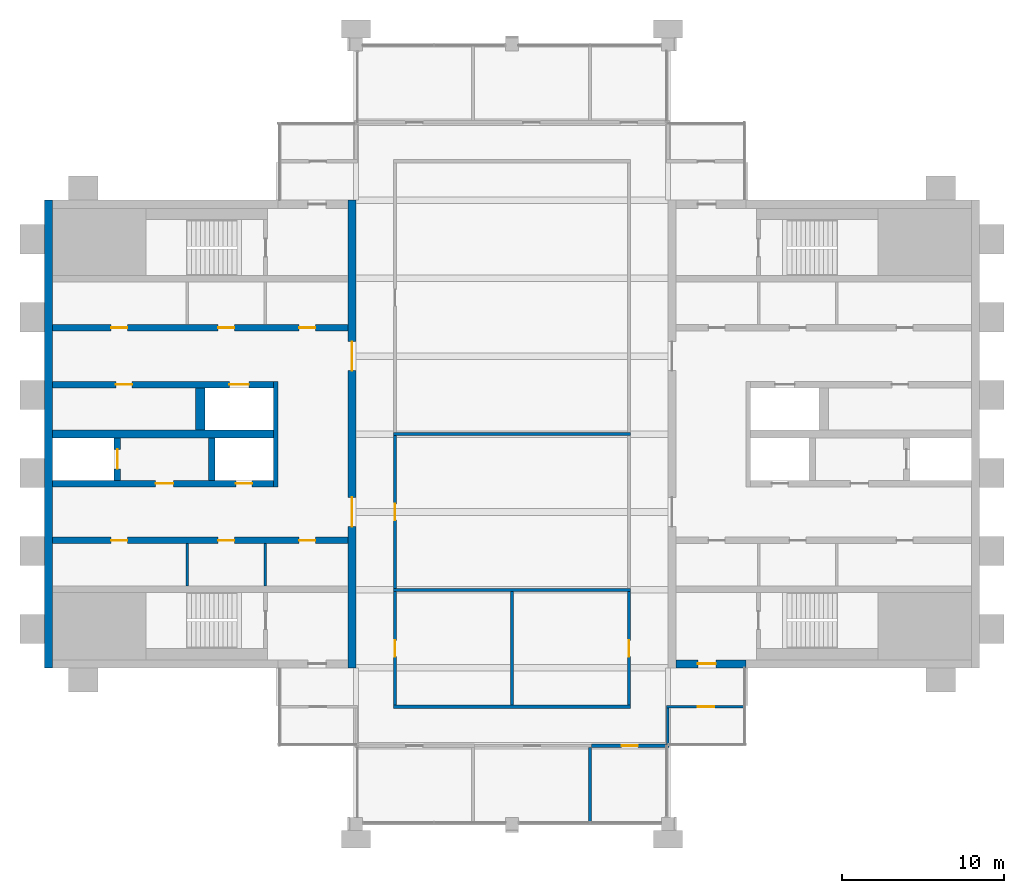
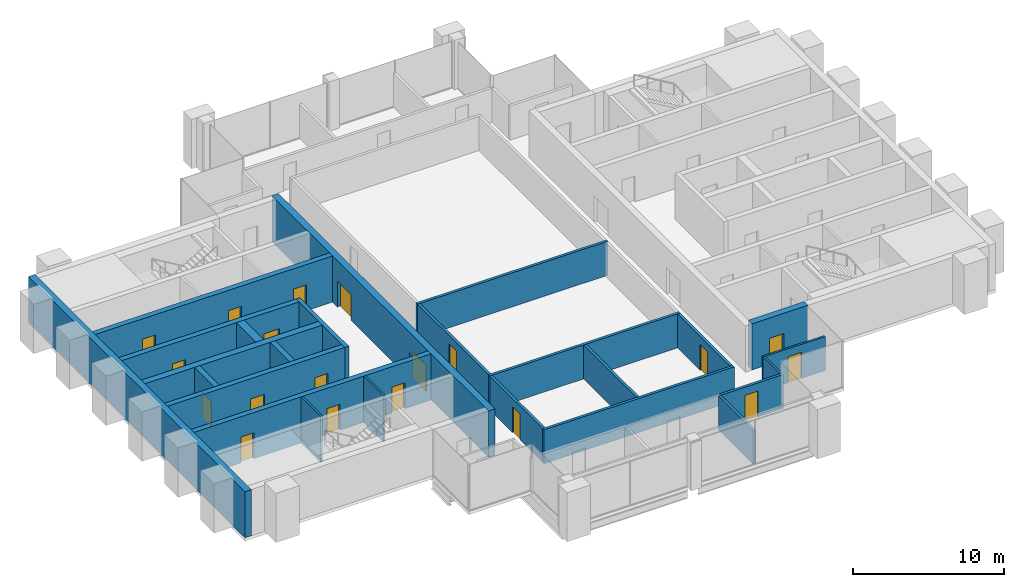
# One storey, part 8 of 11: 25 walls, 19 doors, 19 openings.
"""IFC4 building model written with IfcOpenShell, lengths in metres."""

from ifc_helpers import new_model, si_unit, direction, frame, frame_2d, origin, place, context, subcontext, project, spatial, rectangle, extrude, material, layer, layer_set, type_object, element, fill, save


model = new_model("IFC4")

# Units and contexts
model_context = context("Model", 3, precision=1e-05, world=origin(), true_north=direction((0.0, 1.0)))
body_context = subcontext(model_context, "Body", "Model", "MODEL_VIEW")
ifc_project = project(units=[si_unit("LENGTHUNIT", "METRE"), si_unit("AREAUNIT", "SQUARE_METRE"), si_unit("VOLUMEUNIT", "CUBIC_METRE"), si_unit("PLANEANGLEUNIT", "RADIAN"), si_unit("MASSUNIT", "GRAM", prefix="KILO")], contexts=[model_context])

# Site, building, storey
site_placement = place(None, origin())
site = spatial("IfcSite", under=ifc_project, at=site_placement, CompositionType="ELEMENT")
building_placement = place(site_placement, origin())
building = spatial("IfcBuilding", under=site, at=building_placement, Name="Baori Bourse Tower", CompositionType="ELEMENT")
storey_placement = place(building_placement, frame((0.0, 0.0, 358.300048828125)))
storey = spatial("IfcBuildingStorey", under=building, at=storey_placement, Name="L80", CompositionType="ELEMENT", Elevation=358.300048828125)

# Walls
ifc_material_1 = material(Name="Blockwork partition", Category="masonry")
ifc_layer_1 = layer(ifc_material_1, 0.14990234375)
ifc_layer_set_1 = layer_set([ifc_layer_1], Name="Core partition 150")
wall_type_1 = type_object("IfcWallType", Name="Core partition 150", PredefinedType="PARTITIONING", material=ifc_layer_set_1)
for number, where, z_axis, x_axis, name in (
    (1, (8.800048828125, 14.64990234375, 0.0), (0.0, 0.0, 1.0), (0.0, 1.0, 0.0), "Partition wall W09"),
    (2, (13.60009765625, 14.64990234375, 0.0), (0.0, 0.0, 1.0), (0.0, 1.0, 0.0), "Partition wall W10"),
):
    element("IfcWall", number, at=place(storey_placement, frame(where, z_axis=z_axis, x_axis=x_axis)), inside=storey, type_object=wall_type_1, Name=name, PredefinedType="PARTITIONING", context=body_context, shape_type="SweptSolid", body=[
        extrude(rectangle(XDim=2.60009765625, YDim=0.14990234375, at=frame_2d((1.300048828125, 0.0))), origin(), (0.0, 0.0, 1.0), 3.75),
    ])
ifc_material_2 = material(Name="Concrete f'c 40 MPa", Category="concrete")
ifc_layer_2 = layer(ifc_material_2, 0.5)
ifc_layer_set_2 = layer_set([ifc_layer_2], Name="Core wall 500 f'c 40")
wall_type_2 = type_object("IfcWallType", Name="Core wall 500 f'c 40", PredefinedType="SHEAR", material=ifc_layer_set_2)
wall_1_placement = place(storey_placement, frame((0.25, 9.60009765625, 0.0), z_axis=(0.0, 0.0, 1.0), x_axis=(0.0, 1.0, 0.0)))
element("IfcWall", 3, at=wall_1_placement, inside=storey, type_object=wall_type_2, Name="Core wall W01", PredefinedType="SHEAR", context=body_context, shape_type="SweptSolid", body=[
    extrude(rectangle(XDim=28.7998046875, YDim=0.5, at=frame_2d((14.39990234375, 0.0))), origin(), (0.0, 0.0, 1.0), 3.75),
])

# Wall, openings, doors
wall_2_placement = place(storey_placement, frame((18.949951171875, 38.39990234375, 0.0), z_axis=(0.0, 0.0, 1.0), x_axis=(0.0, -1.0, 0.0)))
wall_2 = element("IfcWall", 4, at=wall_2_placement, inside=storey, type_object=wall_type_2, Name="Core wall W04", PredefinedType="SHEAR", context=body_context, shape_type="SweptSolid", body=[
    extrude(rectangle(XDim=28.7998046875, YDim=0.5, at=frame_2d((14.39990234375, 0.0))), origin(), (0.0, 0.0, 1.0), 3.75),
])
opening_1_placement = place(wall_2_placement, frame((18.300048828125, 0.0, 0.0)))
opening_1 = element("IfcOpeningElement", 5, at=opening_1_placement, cuts=wall_2, Name="Opening L80-D107", PredefinedType="OPENING", context=body_context, shape_type="SweptSolid", body=[
    extrude(rectangle(XDim=1.800048828125, YDim=2.10009765625, at=frame_2d((0.89990234375, 1.050048828125))), frame((0.0, 0.260009765625, 0.0), z_axis=(0.0, -1.0, 0.0), x_axis=(1.0, 0.0, 0.0)), (0.0, 0.0, 1.0), 0.52001953125),
])
opening_2_placement = place(wall_2_placement, frame((8.699951171875, 0.0, 0.0)))
opening_2 = element("IfcOpeningElement", 6, at=opening_2_placement, cuts=wall_2, Name="Opening L80-D108", PredefinedType="OPENING", context=body_context, shape_type="SweptSolid", body=[
    extrude(rectangle(XDim=1.800048828125, YDim=2.10009765625, at=frame_2d((0.89990234375, 1.050048828125))), frame((0.0, 0.260009765625, 0.0), z_axis=(0.0, -1.0, 0.0), x_axis=(1.0, 0.0, 0.0)), (0.0, 0.0, 1.0), 0.52001953125),
])
ifc_material_3 = material(Name="Painted steel door", Category="steel")
door_type_1 = type_object("IfcDoorType", Name="Core lobby door 1800", OperationType="DOUBLE_DOOR_SINGLE_SWING", PredefinedType="DOOR", material=ifc_material_3)
door_1_placement = place(opening_1_placement, origin())
door_1 = element("IfcDoor", 7, at=door_1_placement, inside=storey, type_object=door_type_1, Name="Lobby door W L80", OperationType="DOUBLE_DOOR_SINGLE_SWING", OverallHeight=2.10009765625, OverallWidth=1.800048828125, PredefinedType="DOOR", context=body_context, shape_type="SweptSolid", body=[
    extrude(rectangle(XDim=1.800048828125, YDim=2.10009765625, at=frame_2d((0.89990234375, 1.050048828125))), frame((0.0, 0.02490234375, 0.0), z_axis=(0.0, -1.0, 0.0), x_axis=(1.0, 0.0, 0.0)), (0.0, 0.0, 1.0), 0.050048828125),
])
fill(opening_1, door_1)
door_2_placement = place(opening_2_placement, origin())
door_2 = element("IfcDoor", 8, at=door_2_placement, inside=storey, type_object=door_type_1, Name="Lobby door W L80", OperationType="DOUBLE_DOOR_SINGLE_SWING", OverallHeight=2.10009765625, OverallWidth=1.800048828125, PredefinedType="DOOR", context=body_context, shape_type="SweptSolid", body=[
    extrude(rectangle(XDim=1.800048828125, YDim=2.10009765625, at=frame_2d((0.89990234375, 1.050048828125))), frame((0.0, 0.02490234375, 0.0), z_axis=(0.0, -1.0, 0.0), x_axis=(1.0, 0.0, 0.0)), (0.0, 0.0, 1.0), 0.050048828125),
])
fill(opening_2, door_2)

# Wall, opening, door
wall_3_placement = place(storey_placement, frame((43.199951171875, 9.85009765625, 0.0), z_axis=(0.0, 0.0, 1.0), x_axis=(-1.0, 0.0, 0.0)))
wall_3 = element("IfcWall", 9, at=wall_3_placement, inside=storey, type_object=wall_type_2, Name="Core wall E03", PredefinedType="SHEAR", context=body_context, shape_type="SweptSolid", body=[
    extrude(rectangle(XDim=4.300048828125, YDim=0.5, at=frame_2d((2.14990234375, 0.0))), origin(), (0.0, 0.0, 1.0), 3.75),
])
opening_3_placement = place(wall_3_placement, frame((1.85009765625, 0.0, 0.0)))
opening_3 = element("IfcOpeningElement", 10, at=opening_3_placement, cuts=wall_3, Name="Opening L80-D202", PredefinedType="OPENING", context=body_context, shape_type="SweptSolid", body=[
    extrude(rectangle(XDim=1.10009765625, YDim=2.10009765625, at=frame_2d((0.550048828125, 1.050048828125))), frame((0.0, 0.260009765625, 0.0), z_axis=(0.0, -1.0, 0.0), x_axis=(1.0, 0.0, 0.0)), (0.0, 0.0, 1.0), 0.52001953125),
])
ifc_material_4 = material(Name="Painted steel door", Category="steel")
door_type_2 = type_object("IfcDoorType", Name="Stair door 1100", OperationType="SINGLE_SWING_LEFT", PredefinedType="DOOR", material=ifc_material_4)
door_3_placement = place(opening_3_placement, origin())
door_3 = element("IfcDoor", 11, at=door_3_placement, inside=storey, type_object=door_type_2, Name="Stair vestibule door A E L80", OperationType="SINGLE_SWING_LEFT", OverallHeight=2.10009765625, OverallWidth=1.10009765625, PredefinedType="DOOR", context=body_context, shape_type="SweptSolid", body=[
    extrude(rectangle(XDim=1.10009765625, YDim=2.10009765625, at=frame_2d((0.550048828125, 1.050048828125))), frame((0.0, 0.02490234375, 0.0), z_axis=(0.0, -1.0, 0.0), x_axis=(1.0, 0.0, 0.0)), (0.0, 0.0, 1.0), 0.050048828125),
])
fill(opening_3, door_3)

ifc_material_5 = material(Name="Gypsum board partition")
ifc_layer_3 = layer(ifc_material_5, 0.14990234375)
ifc_layer_set_3 = layer_set([ifc_layer_3], Name="Corridor partition 150")
wall_type_3 = type_object("IfcWallType", Name="Corridor partition 150", PredefinedType="PARTITIONING", material=ifc_layer_set_3)
wall_4_placement = place(storey_placement, frame((38.324951171875, 7.199951171875, 0.0), z_axis=(0.0, 0.0, 1.0), x_axis=(1.0, 0.0, 0.0)))
wall_4 = element("IfcWall", 12, at=wall_4_placement, inside=storey, type_object=wall_type_3, Name="Partition", PredefinedType="PARTITIONING", context=body_context, shape_type="SweptSolid", body=[
    extrude(rectangle(XDim=4.775146484375, YDim=0.14990234375, at=frame_2d((2.3876953125, 0.0))), origin(), (0.0, 0.0, 1.0), 2.75927734375),
])
opening_4_placement = place(wall_4_placement, frame((1.925048828125, 0.0, 0.0)))
opening_4 = element("IfcOpeningElement", 13, at=opening_4_placement, cuts=wall_4, Name="Opening L80-D05", PredefinedType="OPENING", context=body_context, shape_type="SweptSolid", body=[
    extrude(rectangle(XDim=1.0, YDim=2.10009765625, at=frame_2d((0.5, 1.050048828125))), frame((0.0, 0.0849609375, 0.0), z_axis=(0.0, -1.0, 0.0), x_axis=(1.0, 0.0, 0.0)), (0.0, 0.0, 1.0), 0.169921875),
])
ifc_material_6 = material(Name="Timber door leaf", Category="wood")
door_type_3 = type_object("IfcDoorType", Name="Door 1000 x 2100", OperationType="SINGLE_SWING_LEFT", PredefinedType="DOOR", material=ifc_material_6)
door_4_placement = place(opening_4_placement, origin())
door_4 = element("IfcDoor", 14, at=door_4_placement, inside=storey, type_object=door_type_3, Name="Door", OperationType="SINGLE_SWING_RIGHT", OverallHeight=2.10009765625, OverallWidth=1.0, PredefinedType="DOOR", context=body_context, shape_type="SweptSolid", body=[
    extrude(rectangle(XDim=1.0, YDim=2.10009765625, at=frame_2d((0.5, 1.050048828125))), frame((0.0, 0.02490234375, 0.0), z_axis=(0.0, -1.0, 0.0), x_axis=(1.0, 0.0, 0.0)), (0.0, 0.0, 1.0), 0.050048828125),
])
fill(opening_4, door_4)

# Wall
wall_5_placement = place(storey_placement, frame((38.39990234375, 4.89990234375, 0.0), z_axis=(0.0, 0.0, 1.0), x_axis=(0.0, 1.0, 0.0)))
element("IfcWall", 15, at=wall_5_placement, inside=storey, type_object=wall_type_3, Name="Partition", PredefinedType="PARTITIONING", context=body_context, shape_type="SweptSolid", body=[
    extrude(rectangle(XDim=2.22509765625, YDim=0.14990234375, at=frame_2d((1.112548828125, 0.0))), origin(), (0.0, 0.0, 1.0), 2.75927734375),
])

# Wall, opening, door
ifc_material_7 = material(Name="Gypsum board partition")
ifc_layer_4 = layer(ifc_material_7, 0.199951171875)
ifc_layer_set_4 = layer_set([ifc_layer_4], Name="Plant room wall 200")
wall_type_4 = type_object("IfcWallType", Name="Plant room wall 200", PredefinedType="PARTITIONING", material=ifc_layer_set_4)
wall_6_placement = place(storey_placement, frame((33.699951171875, 4.800048828125, 0.0), z_axis=(0.0, 0.0, 1.0), x_axis=(1.0, 0.0, 0.0)))
wall_6 = element("IfcWall", 16, at=wall_6_placement, inside=storey, type_object=wall_type_4, Name="Partition", PredefinedType="PARTITIONING", context=body_context, shape_type="SweptSolid", body=[
    extrude(rectangle(XDim=4.775146484375, YDim=0.199951171875, at=frame_2d((2.3876953125, 0.0))), origin(), (0.0, 0.0, 1.0), 2.75927734375),
])
opening_5_placement = place(wall_6_placement, frame((1.85009765625, 0.0, 0.0)))
opening_5 = element("IfcOpeningElement", 17, at=opening_5_placement, cuts=wall_6, Name="Opening L80-D03", PredefinedType="OPENING", context=body_context, shape_type="SweptSolid", body=[
    extrude(rectangle(XDim=1.0, YDim=2.10009765625, at=frame_2d((0.5, 1.050048828125))), frame((0.0, 0.10986328125, 0.0), z_axis=(0.0, -1.0, 0.0), x_axis=(1.0, 0.0, 0.0)), (0.0, 0.0, 1.0), 0.219970703125),
])
door_5_placement = place(opening_5_placement, origin())
door_5 = element("IfcDoor", 18, at=door_5_placement, inside=storey, type_object=door_type_3, Name="Door", OperationType="SINGLE_SWING_LEFT", OverallHeight=2.10009765625, OverallWidth=1.0, PredefinedType="DOOR", context=body_context, shape_type="SweptSolid", body=[
    extrude(rectangle(XDim=1.0, YDim=2.10009765625, at=frame_2d((0.5, 1.050048828125))), frame((0.0, 0.02490234375, 0.0), z_axis=(0.0, -1.0, 0.0), x_axis=(1.0, 0.0, 0.0)), (0.0, 0.0, 1.0), 0.050048828125),
])
fill(opening_5, door_5)

# Walls
for number, where, z_axis, x_axis, name in (
    (19, (21.5, 7.199951171875, 0.0), (0.0, 0.0, 1.0), (1.0, 0.0, 0.0), "Partition"),
    (20, (21.5, 14.39990234375, 0.0), (0.0, 0.0, 1.0), (1.0, 0.0, 0.0), "Partition"),
    (21, (21.5, 24.0, 0.0), (0.0, 0.0, 1.0), (1.0, 0.0, 0.0), "Partition"),
):
    element("IfcWall", number, at=place(storey_placement, frame(where, z_axis=z_axis, x_axis=x_axis)), inside=storey, type_object=wall_type_4, Name=name, PredefinedType="PARTITIONING", context=body_context, shape_type="SweptSolid", body=[
        extrude(rectangle(XDim=14.60009765625, YDim=0.199951171875, at=frame_2d((7.300048828125, 0.0))), origin(), (0.0, 0.0, 1.0), 2.75927734375),
    ])

# Wall, opening, door
wall_7_placement = place(storey_placement, frame((21.60009765625, 7.300048828125, 0.0), z_axis=(0.0, 0.0, 1.0), x_axis=(0.0, 1.0, 0.0)))
wall_7 = element("IfcWall", 22, at=wall_7_placement, inside=storey, type_object=wall_type_4, Name="Partition", PredefinedType="PARTITIONING", context=body_context, shape_type="SweptSolid", body=[
    extrude(rectangle(XDim=7.0, YDim=0.199951171875, at=frame_2d((3.5, 0.0))), origin(), (0.0, 0.0, 1.0), 2.75927734375),
])
opening_6_placement = place(wall_7_placement, frame((3.0, 0.0, 0.0)))
opening_6 = element("IfcOpeningElement", 23, at=opening_6_placement, cuts=wall_7, Name="Opening L80-D11", PredefinedType="OPENING", context=body_context, shape_type="SweptSolid", body=[
    extrude(rectangle(XDim=1.0, YDim=2.10009765625, at=frame_2d((0.5, 1.050048828125))), frame((0.0, 0.10986328125, 0.0), z_axis=(0.0, -1.0, 0.0), x_axis=(1.0, 0.0, 0.0)), (0.0, 0.0, 1.0), 0.219970703125),
])
door_6_placement = place(opening_6_placement, origin())
door_6 = element("IfcDoor", 24, at=door_6_placement, inside=storey, type_object=door_type_3, Name="Door", OperationType="SINGLE_SWING_RIGHT", OverallHeight=2.10009765625, OverallWidth=1.0, PredefinedType="DOOR", context=body_context, shape_type="SweptSolid", body=[
    extrude(rectangle(XDim=1.0, YDim=2.10009765625, at=frame_2d((0.5, 1.050048828125))), frame((0.0, 0.02490234375, 0.0), z_axis=(0.0, -1.0, 0.0), x_axis=(1.0, 0.0, 0.0)), (0.0, 0.0, 1.0), 0.050048828125),
])
fill(opening_6, door_6)

wall_8_placement = place(storey_placement, frame((21.60009765625, 14.5, 0.0), z_axis=(0.0, 0.0, 1.0), x_axis=(0.0, 1.0, 0.0)))
wall_8 = element("IfcWall", 25, at=wall_8_placement, inside=storey, type_object=wall_type_4, Name="Partition", PredefinedType="PARTITIONING", context=body_context, shape_type="SweptSolid", body=[
    extrude(rectangle(XDim=9.39990234375, YDim=0.199951171875, at=frame_2d((4.699951171875, 0.0))), origin(), (0.0, 0.0, 1.0), 2.75927734375),
])
opening_7_placement = place(wall_8_placement, frame((4.199951171875, 0.0, 0.0)))
opening_7 = element("IfcOpeningElement", 26, at=opening_7_placement, cuts=wall_8, Name="Opening L80-D12", PredefinedType="OPENING", context=body_context, shape_type="SweptSolid", body=[
    extrude(rectangle(XDim=1.0, YDim=2.10009765625, at=frame_2d((0.5, 1.050048828125))), frame((0.0, 0.10986328125, 0.0), z_axis=(0.0, -1.0, 0.0), x_axis=(1.0, 0.0, 0.0)), (0.0, 0.0, 1.0), 0.219970703125),
])
door_7_placement = place(opening_7_placement, origin())
door_7 = element("IfcDoor", 27, at=door_7_placement, inside=storey, type_object=door_type_3, Name="Door", OperationType="SINGLE_SWING_LEFT", OverallHeight=2.10009765625, OverallWidth=1.0, PredefinedType="DOOR", context=body_context, shape_type="SweptSolid", body=[
    extrude(rectangle(XDim=1.0, YDim=2.10009765625, at=frame_2d((0.5, 1.050048828125))), frame((0.0, 0.02490234375, 0.0), z_axis=(0.0, -1.0, 0.0), x_axis=(1.0, 0.0, 0.0)), (0.0, 0.0, 1.0), 0.050048828125),
])
fill(opening_7, door_7)

# Walls
wall_9_placement = place(storey_placement, frame((28.800048828125, 7.300048828125, 0.0), z_axis=(0.0, 0.0, 1.0), x_axis=(0.0, 1.0, 0.0)))
element("IfcWall", 28, at=wall_9_placement, inside=storey, type_object=wall_type_4, Name="Partition", PredefinedType="PARTITIONING", context=body_context, shape_type="SweptSolid", body=[
    extrude(rectangle(XDim=7.0, YDim=0.199951171875, at=frame_2d((3.5, 0.0))), origin(), (0.0, 0.0, 1.0), 2.75927734375),
])
wall_10_placement = place(storey_placement, frame((33.60009765625, 0.10009765625, 0.0), z_axis=(0.0, 0.0, 1.0), x_axis=(0.0, 1.0, 0.0)))
element("IfcWall", 29, at=wall_10_placement, inside=storey, type_object=wall_type_4, Name="Partition", PredefinedType="PARTITIONING", context=body_context, shape_type="SweptSolid", body=[
    extrude(rectangle(XDim=4.599853515625, YDim=0.199951171875, at=frame_2d((2.2998046875, 0.0))), origin(), (0.0, 0.0, 1.0), 2.75927734375),
])

# Wall, opening, door
wall_11_placement = place(storey_placement, frame((36.0, 7.300048828125, 0.0), z_axis=(0.0, 0.0, 1.0), x_axis=(0.0, 1.0, 0.0)))
wall_11 = element("IfcWall", 30, at=wall_11_placement, inside=storey, type_object=wall_type_4, Name="Partition", PredefinedType="PARTITIONING", context=body_context, shape_type="SweptSolid", body=[
    extrude(rectangle(XDim=7.0, YDim=0.199951171875, at=frame_2d((3.5, 0.0))), origin(), (0.0, 0.0, 1.0), 2.75927734375),
])
opening_8_placement = place(wall_11_placement, frame((3.0, 0.0, 0.0)))
opening_8 = element("IfcOpeningElement", 31, at=opening_8_placement, cuts=wall_11, Name="Opening L80-D14", PredefinedType="OPENING", context=body_context, shape_type="SweptSolid", body=[
    extrude(rectangle(XDim=1.0, YDim=2.10009765625, at=frame_2d((0.5, 1.050048828125))), frame((0.0, 0.10986328125, 0.0), z_axis=(0.0, -1.0, 0.0), x_axis=(1.0, 0.0, 0.0)), (0.0, 0.0, 1.0), 0.219970703125),
])
door_8_placement = place(opening_8_placement, origin())
door_8 = element("IfcDoor", 32, at=door_8_placement, inside=storey, type_object=door_type_3, Name="Door", OperationType="SINGLE_SWING_LEFT", OverallHeight=2.10009765625, OverallWidth=1.0, PredefinedType="DOOR", context=body_context, shape_type="SweptSolid", body=[
    extrude(rectangle(XDim=1.0, YDim=2.10009765625, at=frame_2d((0.5, 1.050048828125))), frame((0.0, 0.02490234375, 0.0), z_axis=(0.0, -1.0, 0.0), x_axis=(1.0, 0.0, 0.0)), (0.0, 0.0, 1.0), 0.050048828125),
])
fill(opening_8, door_8)

# Wall
ifc_material_8 = material(Name="Concrete f'c 40 MPa", Category="concrete")
ifc_layer_5 = layer(ifc_material_8, 0.300048828125)
ifc_layer_set_5 = layer_set([ifc_layer_5], Name="Shaft wall 300 f'c 40")
wall_type_5 = type_object("IfcWallType", Name="Shaft wall 300 f'c 40", PredefinedType="SHEAR", material=ifc_layer_set_5)
wall_12_placement = place(storey_placement, frame((14.25, 20.75, 0.0), z_axis=(0.0, 0.0, 1.0), x_axis=(0.0, 1.0, 0.0)))
element("IfcWall", 33, at=wall_12_placement, inside=storey, type_object=wall_type_5, Name="Core wall W13", PredefinedType="SHEAR", context=body_context, shape_type="SweptSolid", body=[
    extrude(rectangle(XDim=6.5, YDim=0.300048828125, at=frame_2d((3.25, 0.0))), origin(), (0.0, 0.0, 1.0), 3.75),
])

# Wall, openings, doors
ifc_material_9 = material(Name="Concrete f'c 40 MPa", Category="concrete")
ifc_layer_6 = layer(ifc_material_9, 0.39990234375)
ifc_layer_set_6 = layer_set([ifc_layer_6], Name="Shaft wall 400 f'c 40")
wall_type_6 = type_object("IfcWallType", Name="Shaft wall 400 f'c 40", PredefinedType="SHEAR", material=ifc_layer_set_6)
wall_13_placement = place(storey_placement, frame((0.5, 17.449951171875, 0.0), z_axis=(0.0, 0.0, 1.0), x_axis=(1.0, 0.0, 0.0)))
wall_13 = element("IfcWall", 34, at=wall_13_placement, inside=storey, type_object=wall_type_6, Name="Core wall W11", PredefinedType="SHEAR", context=body_context, shape_type="SweptSolid", body=[
    extrude(rectangle(XDim=18.199951171875, YDim=0.39990234375, at=frame_2d((9.10009765625, 0.0))), origin(), (0.0, 0.0, 1.0), 3.75),
])
opening_9_placement = place(wall_13_placement, frame((3.612548828125, 0.0, 0.0)))
opening_9 = element("IfcOpeningElement", 35, at=opening_9_placement, cuts=wall_13, Name="Opening L80-D112", PredefinedType="OPENING", context=body_context, shape_type="SweptSolid", body=[
    extrude(rectangle(XDim=1.0, YDim=2.10009765625, at=frame_2d((0.5, 1.050048828125))), frame((0.0, 0.2099609375, 0.0), z_axis=(0.0, -1.0, 0.0), x_axis=(1.0, 0.0, 0.0)), (0.0, 0.0, 1.0), 0.419921875),
])
opening_10_placement = place(wall_13_placement, frame((10.199951171875, 0.0, 0.0)))
opening_10 = element("IfcOpeningElement", 36, at=opening_10_placement, cuts=wall_13, Name="Opening L80-D113", PredefinedType="OPENING", context=body_context, shape_type="SweptSolid", body=[
    extrude(rectangle(XDim=1.0, YDim=2.10009765625, at=frame_2d((0.5, 1.050048828125))), frame((0.0, 0.2099609375, 0.0), z_axis=(0.0, -1.0, 0.0), x_axis=(1.0, 0.0, 0.0)), (0.0, 0.0, 1.0), 0.419921875),
])
opening_11_placement = place(wall_13_placement, frame((15.1875, 0.0, 0.0)))
opening_11 = element("IfcOpeningElement", 37, at=opening_11_placement, cuts=wall_13, Name="Opening L80-D114", PredefinedType="OPENING", context=body_context, shape_type="SweptSolid", body=[
    extrude(rectangle(XDim=1.0, YDim=2.10009765625, at=frame_2d((0.5, 1.050048828125))), frame((0.0, 0.2099609375, 0.0), z_axis=(0.0, -1.0, 0.0), x_axis=(1.0, 0.0, 0.0)), (0.0, 0.0, 1.0), 0.419921875),
])
ifc_material_10 = material(Name="Painted steel door", Category="steel")
door_type_4 = type_object("IfcDoorType", Name="Plant room door 1000", OperationType="SINGLE_SWING_LEFT", PredefinedType="DOOR", material=ifc_material_10)
door_9_placement = place(opening_9_placement, origin())
door_9 = element("IfcDoor", 38, at=door_9_placement, inside=storey, type_object=door_type_4, Name="Air Handling Fan Room door W L80", OperationType="SINGLE_SWING_LEFT", OverallHeight=2.10009765625, OverallWidth=1.0, PredefinedType="DOOR", context=body_context, shape_type="SweptSolid", body=[
    extrude(rectangle(XDim=1.0, YDim=2.10009765625, at=frame_2d((0.5, 1.050048828125))), frame((0.0, 0.02490234375, 0.0), z_axis=(0.0, -1.0, 0.0), x_axis=(1.0, 0.0, 0.0)), (0.0, 0.0, 1.0), 0.050048828125),
])
fill(opening_9, door_9)
door_10_placement = place(opening_10_placement, origin())
door_10 = element("IfcDoor", 39, at=door_10_placement, inside=storey, type_object=door_type_4, Name="Electrical Room door W L80", OperationType="SINGLE_SWING_LEFT", OverallHeight=2.10009765625, OverallWidth=1.0, PredefinedType="DOOR", context=body_context, shape_type="SweptSolid", body=[
    extrude(rectangle(XDim=1.0, YDim=2.10009765625, at=frame_2d((0.5, 1.050048828125))), frame((0.0, 0.02490234375, 0.0), z_axis=(0.0, -1.0, 0.0), x_axis=(1.0, 0.0, 0.0)), (0.0, 0.0, 1.0), 0.050048828125),
])
fill(opening_10, door_10)
door_11_placement = place(opening_11_placement, origin())
door_11 = element("IfcDoor", 40, at=door_11_placement, inside=storey, type_object=door_type_4, Name="Mechanical Room door W L80", OperationType="SINGLE_SWING_LEFT", OverallHeight=2.10009765625, OverallWidth=1.0, PredefinedType="DOOR", context=body_context, shape_type="SweptSolid", body=[
    extrude(rectangle(XDim=1.0, YDim=2.10009765625, at=frame_2d((0.5, 1.050048828125))), frame((0.0, 0.02490234375, 0.0), z_axis=(0.0, -1.0, 0.0), x_axis=(1.0, 0.0, 0.0)), (0.0, 0.0, 1.0), 0.050048828125),
])
fill(opening_11, door_11)

wall_14_placement = place(storey_placement, frame((0.5, 20.949951171875, 0.0), z_axis=(0.0, 0.0, 1.0), x_axis=(1.0, 0.0, 0.0)))
wall_14 = element("IfcWall", 41, at=wall_14_placement, inside=storey, type_object=wall_type_6, Name="Core wall W12", PredefinedType="SHEAR", context=body_context, shape_type="SweptSolid", body=[
    extrude(rectangle(XDim=13.60009765625, YDim=0.39990234375, at=frame_2d((6.800048828125, 0.0))), origin(), (0.0, 0.0, 1.0), 3.75),
])
opening_12_placement = place(wall_14_placement, frame((6.35009765625, 0.0, 0.0)))
opening_12 = element("IfcOpeningElement", 42, at=opening_12_placement, cuts=wall_14, Name="Opening L80-D105", PredefinedType="OPENING", context=body_context, shape_type="SweptSolid", body=[
    extrude(rectangle(XDim=1.10009765625, YDim=2.10009765625, at=frame_2d((0.550048828125, 1.050048828125))), frame((0.0, 0.2099609375, 0.0), z_axis=(0.0, -1.0, 0.0), x_axis=(1.0, 0.0, 0.0)), (0.0, 0.0, 1.0), 0.419921875),
])
opening_13_placement = place(wall_14_placement, frame((11.300048828125, 0.0, 0.0)))
opening_13 = element("IfcOpeningElement", 43, at=opening_13_placement, cuts=wall_14, Name="Opening L80-D106", PredefinedType="OPENING", context=body_context, shape_type="SweptSolid", body=[
    extrude(rectangle(XDim=1.0, YDim=2.10009765625, at=frame_2d((0.5, 1.050048828125))), frame((0.0, 0.2099609375, 0.0), z_axis=(0.0, -1.0, 0.0), x_axis=(1.0, 0.0, 0.0)), (0.0, 0.0, 1.0), 0.419921875),
])
ifc_material_11 = material(Name="Painted steel door", Category="steel")
door_type_5 = type_object("IfcDoorType", Name="Lobby door 1100", OperationType="SINGLE_SWING_LEFT", PredefinedType="DOOR", material=ifc_material_11)
door_12_placement = place(opening_12_placement, origin())
door_12 = element("IfcDoor", 44, at=door_12_placement, inside=storey, type_object=door_type_5, Name="Firefighting lobby door W L80", OperationType="SINGLE_SWING_LEFT", OverallHeight=2.10009765625, OverallWidth=1.10009765625, PredefinedType="DOOR", context=body_context, shape_type="SweptSolid", body=[
    extrude(rectangle(XDim=1.10009765625, YDim=2.10009765625, at=frame_2d((0.550048828125, 1.050048828125))), frame((0.0, 0.02490234375, 0.0), z_axis=(0.0, -1.0, 0.0), x_axis=(1.0, 0.0, 0.0)), (0.0, 0.0, 1.0), 0.050048828125),
])
fill(opening_12, door_12)
ifc_material_12 = material(Name="Painted steel door", Category="steel")
door_type_6 = type_object("IfcDoorType", Name="Shaft door 1000", OperationType="SINGLE_SWING_LEFT", PredefinedType="DOOR", material=ifc_material_12)
door_13_placement = place(opening_13_placement, origin())
door_13 = element("IfcDoor", 45, at=door_13_placement, inside=storey, type_object=door_type_6, Name="Riser room door W L80", OperationType="SINGLE_SWING_LEFT", OverallHeight=2.10009765625, OverallWidth=1.0, PredefinedType="DOOR", context=body_context, shape_type="SweptSolid", body=[
    extrude(rectangle(XDim=1.0, YDim=2.10009765625, at=frame_2d((0.5, 1.050048828125))), frame((0.0, 0.02490234375, 0.0), z_axis=(0.0, -1.0, 0.0), x_axis=(1.0, 0.0, 0.0)), (0.0, 0.0, 1.0), 0.050048828125),
])
fill(opening_13, door_13)

# Wall, opening, door
wall_15_placement = place(storey_placement, frame((4.5, 21.14990234375, 0.0), z_axis=(0.0, 0.0, 1.0), x_axis=(0.0, 1.0, 0.0)))
wall_15 = element("IfcWall", 46, at=wall_15_placement, inside=storey, type_object=wall_type_6, Name="Core wall W14", PredefinedType="SHEAR", context=body_context, shape_type="SweptSolid", body=[
    extrude(rectangle(XDim=2.60009765625, YDim=0.39990234375, at=frame_2d((1.300048828125, 0.0))), origin(), (0.0, 0.0, 1.0), 3.75),
])
opening_14_placement = place(wall_15_placement, frame((0.699951171875, 0.0, 0.0)))
opening_14 = element("IfcOpeningElement", 47, at=opening_14_placement, cuts=wall_15, Name="Opening L80-D117", PredefinedType="OPENING", context=body_context, shape_type="SweptSolid", body=[
    extrude(rectangle(XDim=1.199951171875, YDim=2.10009765625, at=frame_2d((0.60009765625, 1.050048828125))), frame((0.0, 0.2099609375, 0.0), z_axis=(0.0, -1.0, 0.0), x_axis=(1.0, 0.0, 0.0)), (0.0, 0.0, 1.0), 0.419921875),
])
ifc_material_13 = material(Name="Stainless steel door", Category="steel")
door_type_7 = type_object("IfcDoorType", Name="Lift landing door", OperationType="DOUBLE_DOOR_SLIDING", PredefinedType="DOOR", material=ifc_material_13)
door_14_placement = place(opening_14_placement, origin())
door_14 = element("IfcDoor", 48, at=door_14_placement, inside=storey, type_object=door_type_7, Name="Lift landing door FF1 W L80", OperationType="DOUBLE_DOOR_SLIDING", OverallHeight=2.10009765625, OverallWidth=1.199951171875, PredefinedType="DOOR", context=body_context, shape_type="SweptSolid", body=[
    extrude(rectangle(XDim=1.199951171875, YDim=2.10009765625, at=frame_2d((0.60009765625, 1.050048828125))), frame((0.0, 0.02490234375, 0.0), z_axis=(0.0, -1.0, 0.0), x_axis=(1.0, 0.0, 0.0)), (0.0, 0.0, 1.0), 0.050048828125),
])
fill(opening_14, door_14)

# Wall
wall_16_placement = place(storey_placement, frame((10.300048828125, 21.14990234375, 0.0), z_axis=(0.0, 0.0, 1.0), x_axis=(0.0, 1.0, 0.0)))
element("IfcWall", 49, at=wall_16_placement, inside=storey, type_object=wall_type_6, Name="Core wall W15", PredefinedType="SHEAR", context=body_context, shape_type="SweptSolid", body=[
    extrude(rectangle(XDim=2.60009765625, YDim=0.39990234375, at=frame_2d((1.300048828125, 0.0))), origin(), (0.0, 0.0, 1.0), 3.75),
])

# Wall, openings, doors
wall_17_placement = place(storey_placement, frame((0.5, 27.050048828125, 0.0), z_axis=(0.0, 0.0, 1.0), x_axis=(1.0, 0.0, 0.0)))
wall_17 = element("IfcWall", 50, at=wall_17_placement, inside=storey, type_object=wall_type_6, Name="Core wall W18", PredefinedType="SHEAR", context=body_context, shape_type="SweptSolid", body=[
    extrude(rectangle(XDim=13.60009765625, YDim=0.39990234375, at=frame_2d((6.800048828125, 0.0))), origin(), (0.0, 0.0, 1.0), 3.75),
])
opening_15_placement = place(wall_17_placement, frame((3.89990234375, 0.0, 0.0)))
opening_15 = element("IfcOpeningElement", 51, at=opening_15_placement, cuts=wall_17, Name="Opening L80-D115", PredefinedType="OPENING", context=body_context, shape_type="SweptSolid", body=[
    extrude(rectangle(XDim=1.0, YDim=2.10009765625, at=frame_2d((0.5, 1.050048828125))), frame((0.0, 0.2099609375, 0.0), z_axis=(0.0, -1.0, 0.0), x_axis=(1.0, 0.0, 0.0)), (0.0, 0.0, 1.0), 0.419921875),
])
opening_16_placement = place(wall_17_placement, frame((10.89990234375, 0.0, 0.0)))
opening_16 = element("IfcOpeningElement", 52, at=opening_16_placement, cuts=wall_17, Name="Opening L80-D116", PredefinedType="OPENING", context=body_context, shape_type="SweptSolid", body=[
    extrude(rectangle(XDim=1.199951171875, YDim=2.10009765625, at=frame_2d((0.60009765625, 1.050048828125))), frame((0.0, 0.2099609375, 0.0), z_axis=(0.0, -1.0, 0.0), x_axis=(1.0, 0.0, 0.0)), (0.0, 0.0, 1.0), 0.419921875),
])
door_15_placement = place(opening_16_placement, origin())
door_15 = element("IfcDoor", 53, at=door_15_placement, inside=storey, type_object=door_type_7, Name="Lift landing door SV1 W L80", OperationType="DOUBLE_DOOR_SLIDING", OverallHeight=2.10009765625, OverallWidth=1.199951171875, PredefinedType="DOOR", context=body_context, shape_type="SweptSolid", body=[
    extrude(rectangle(XDim=1.199951171875, YDim=2.10009765625, at=frame_2d((0.60009765625, 1.050048828125))), frame((0.0, 0.02490234375, 0.0), z_axis=(0.0, -1.0, 0.0), x_axis=(1.0, 0.0, 0.0)), (0.0, 0.0, 1.0), 0.050048828125),
])
fill(opening_16, door_15)
door_16_placement = place(opening_15_placement, origin())
door_16 = element("IfcDoor", 54, at=door_16_placement, inside=storey, type_object=door_type_4, Name="Plant Room door W L80", OperationType="SINGLE_SWING_LEFT", OverallHeight=2.10009765625, OverallWidth=1.0, PredefinedType="DOOR", context=body_context, shape_type="SweptSolid", body=[
    extrude(rectangle(XDim=1.0, YDim=2.10009765625, at=frame_2d((0.5, 1.050048828125))), frame((0.0, 0.02490234375, 0.0), z_axis=(0.0, -1.0, 0.0), x_axis=(1.0, 0.0, 0.0)), (0.0, 0.0, 1.0), 0.050048828125),
])
fill(opening_15, door_16)

wall_18_placement = place(storey_placement, frame((0.5, 30.550048828125, 0.0), z_axis=(0.0, 0.0, 1.0), x_axis=(1.0, 0.0, 0.0)))
wall_18 = element("IfcWall", 55, at=wall_18_placement, inside=storey, type_object=wall_type_6, Name="Core wall W19", PredefinedType="SHEAR", context=body_context, shape_type="SweptSolid", body=[
    extrude(rectangle(XDim=18.199951171875, YDim=0.39990234375, at=frame_2d((9.10009765625, 0.0))), origin(), (0.0, 0.0, 1.0), 3.75),
])
opening_17_placement = place(wall_18_placement, frame((3.612548828125, 0.0, 0.0)))
opening_17 = element("IfcOpeningElement", 56, at=opening_17_placement, cuts=wall_18, Name="Opening L80-D109", PredefinedType="OPENING", context=body_context, shape_type="SweptSolid", body=[
    extrude(rectangle(XDim=1.0, YDim=2.10009765625, at=frame_2d((0.5, 1.050048828125))), frame((0.0, 0.2099609375, 0.0), z_axis=(0.0, -1.0, 0.0), x_axis=(1.0, 0.0, 0.0)), (0.0, 0.0, 1.0), 0.419921875),
])
opening_18_placement = place(wall_18_placement, frame((10.199951171875, 0.0, 0.0)))
opening_18 = element("IfcOpeningElement", 57, at=opening_18_placement, cuts=wall_18, Name="Opening L80-D110", PredefinedType="OPENING", context=body_context, shape_type="SweptSolid", body=[
    extrude(rectangle(XDim=1.0, YDim=2.10009765625, at=frame_2d((0.5, 1.050048828125))), frame((0.0, 0.2099609375, 0.0), z_axis=(0.0, -1.0, 0.0), x_axis=(1.0, 0.0, 0.0)), (0.0, 0.0, 1.0), 0.419921875),
])
opening_19_placement = place(wall_18_placement, frame((15.1875, 0.0, 0.0)))
opening_19 = element("IfcOpeningElement", 58, at=opening_19_placement, cuts=wall_18, Name="Opening L80-D111", PredefinedType="OPENING", context=body_context, shape_type="SweptSolid", body=[
    extrude(rectangle(XDim=1.0, YDim=2.10009765625, at=frame_2d((0.5, 1.050048828125))), frame((0.0, 0.2099609375, 0.0), z_axis=(0.0, -1.0, 0.0), x_axis=(1.0, 0.0, 0.0)), (0.0, 0.0, 1.0), 0.419921875),
])
door_17_placement = place(opening_17_placement, origin())
door_17 = element("IfcDoor", 59, at=door_17_placement, inside=storey, type_object=door_type_4, Name="Air Handling Fan Room door W L80", OperationType="SINGLE_SWING_LEFT", OverallHeight=2.10009765625, OverallWidth=1.0, PredefinedType="DOOR", context=body_context, shape_type="SweptSolid", body=[
    extrude(rectangle(XDim=1.0, YDim=2.10009765625, at=frame_2d((0.5, 1.050048828125))), frame((0.0, 0.02490234375, 0.0), z_axis=(0.0, -1.0, 0.0), x_axis=(1.0, 0.0, 0.0)), (0.0, 0.0, 1.0), 0.050048828125),
])
fill(opening_17, door_17)
door_18_placement = place(opening_18_placement, origin())
door_18 = element("IfcDoor", 60, at=door_18_placement, inside=storey, type_object=door_type_4, Name="Electrical Room door W L80", OperationType="SINGLE_SWING_LEFT", OverallHeight=2.10009765625, OverallWidth=1.0, PredefinedType="DOOR", context=body_context, shape_type="SweptSolid", body=[
    extrude(rectangle(XDim=1.0, YDim=2.10009765625, at=frame_2d((0.5, 1.050048828125))), frame((0.0, 0.02490234375, 0.0), z_axis=(0.0, -1.0, 0.0), x_axis=(1.0, 0.0, 0.0)), (0.0, 0.0, 1.0), 0.050048828125),
])
fill(opening_18, door_18)
door_19_placement = place(opening_19_placement, origin())
door_19 = element("IfcDoor", 61, at=door_19_placement, inside=storey, type_object=door_type_4, Name="Mechanical Room door W L80", OperationType="SINGLE_SWING_LEFT", OverallHeight=2.10009765625, OverallWidth=1.0, PredefinedType="DOOR", context=body_context, shape_type="SweptSolid", body=[
    extrude(rectangle(XDim=1.0, YDim=2.10009765625, at=frame_2d((0.5, 1.050048828125))), frame((0.0, 0.02490234375, 0.0), z_axis=(0.0, -1.0, 0.0), x_axis=(1.0, 0.0, 0.0)), (0.0, 0.0, 1.0), 0.050048828125),
])
fill(opening_19, door_19)

# Walls
ifc_material_14 = material(Name="Concrete f'c 40 MPa", Category="concrete")
ifc_layer_7 = layer(ifc_material_14, 0.5)
ifc_layer_set_7 = layer_set([ifc_layer_7], Name="Shaft wall 500 f'c 40")
wall_type_7 = type_object("IfcWallType", Name="Shaft wall 500 f'c 40", PredefinedType="SHEAR", material=ifc_layer_set_7)
wall_19_placement = place(storey_placement, frame((0.5, 24.0, 0.0), z_axis=(0.0, 0.0, 1.0), x_axis=(1.0, 0.0, 0.0)))
element("IfcWall", 62, at=wall_19_placement, inside=storey, type_object=wall_type_7, Name="Core wall W16", PredefinedType="SHEAR", context=body_context, shape_type="SweptSolid", body=[
    extrude(rectangle(XDim=13.60009765625, YDim=0.5, at=frame_2d((6.800048828125, 0.0))), origin(), (0.0, 0.0, 1.0), 3.75),
])
ifc_material_15 = material(Name="Concrete f'c 40 MPa", Category="concrete")
ifc_layer_8 = layer(ifc_material_15, 0.60009765625)
ifc_layer_set_8 = layer_set([ifc_layer_8], Name="Shaft wall 600 f'c 40")
wall_type_8 = type_object("IfcWallType", Name="Shaft wall 600 f'c 40", PredefinedType="SHEAR", material=ifc_layer_set_8)
wall_20_placement = place(storey_placement, frame((9.60009765625, 24.25, 0.0), z_axis=(0.0, 0.0, 1.0), x_axis=(0.0, 1.0, 0.0)))
element("IfcWall", 63, at=wall_20_placement, inside=storey, type_object=wall_type_8, Name="Core wall W17", PredefinedType="SHEAR", context=body_context, shape_type="SweptSolid", body=[
    extrude(rectangle(XDim=2.60009765625, YDim=0.60009765625, at=frame_2d((1.300048828125, 0.0))), origin(), (0.0, 0.0, 1.0), 3.75),
])

save(model, "model.ifc")
